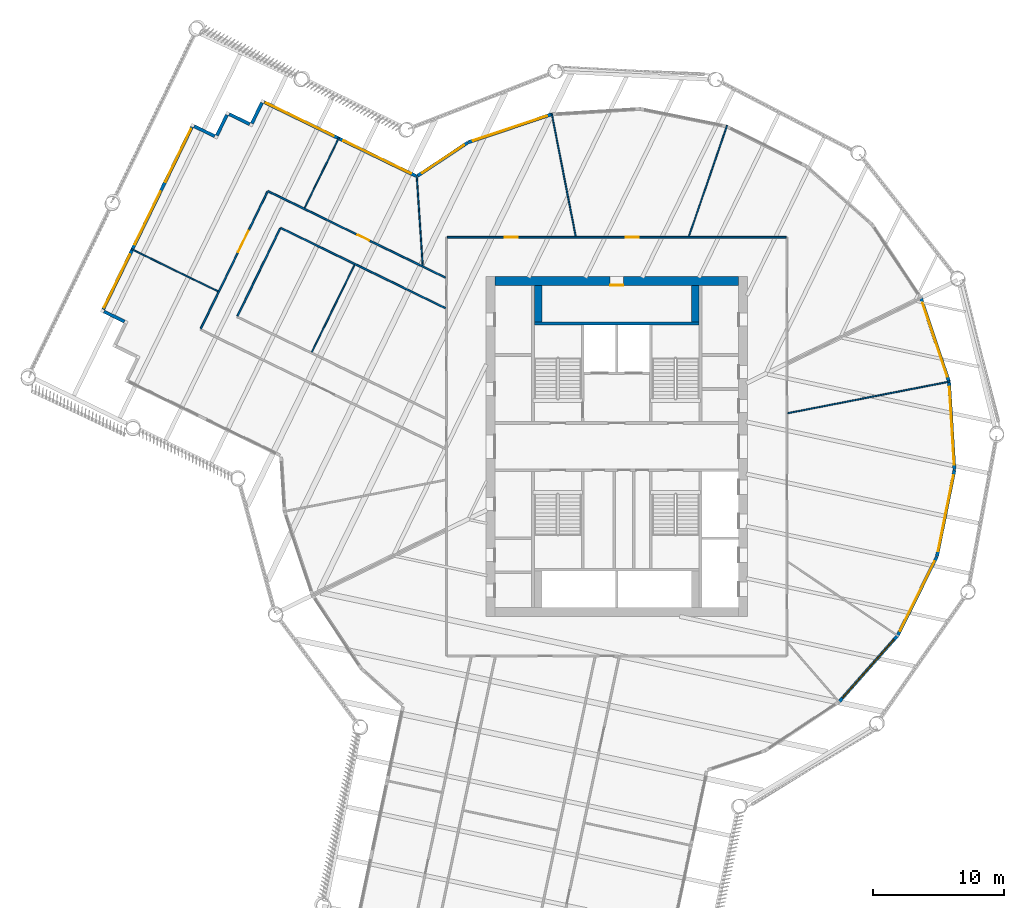
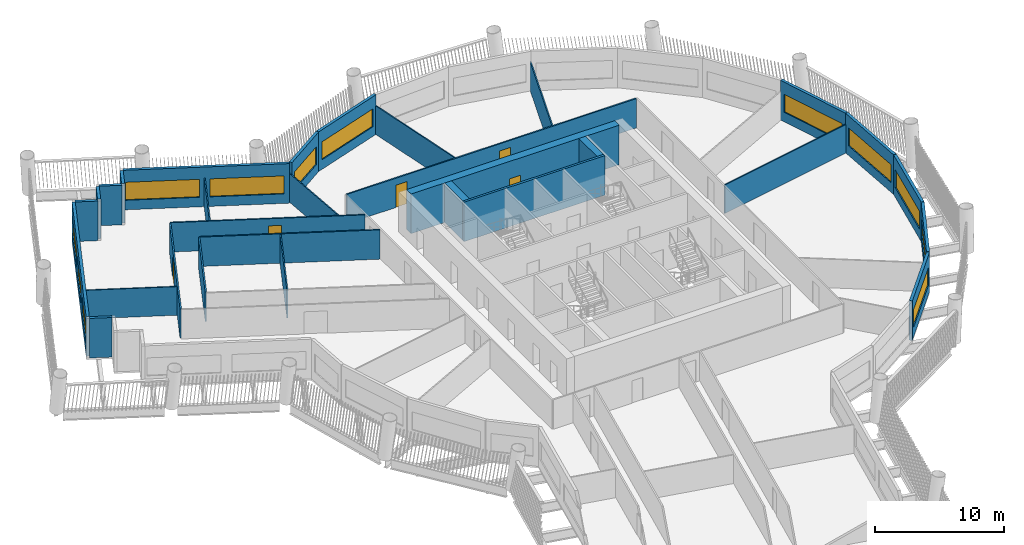
# One storey, part 6 of 15: 30 walls, 12 windows, 5 doors, 17 openings.
"""IFC4 building model written with IfcOpenShell, lengths in metres."""

from ifc_helpers import new_model, si_unit, direction, frame, frame_2d, origin, place, context, subcontext, project, spatial, rectangle, extrude, material, layer, layer_set, type_object, element, fill, save


model = new_model("IFC4")

# Units and contexts
model_context = context("Model", 3, precision=1e-05, world=origin(), true_north=direction((0.0, 1.0)))
body_context = subcontext(model_context, "Body", "Model", "MODEL_VIEW")
ifc_project = project(units=[si_unit("LENGTHUNIT", "METRE"), si_unit("AREAUNIT", "SQUARE_METRE"), si_unit("VOLUMEUNIT", "CUBIC_METRE"), si_unit("PLANEANGLEUNIT", "RADIAN"), si_unit("MASSUNIT", "GRAM", prefix="KILO")], contexts=[model_context])

# Site, building, storey
site_placement = place(None, origin())
site = spatial("IfcSite", under=ifc_project, at=site_placement, CompositionType="ELEMENT")
building_placement = place(site_placement, origin())
building = spatial("IfcBuilding", under=site, at=building_placement, Name="Tarsis Ring Headquarters", CompositionType="ELEMENT")
storey_placement = place(building_placement, frame((0.0, 0.0, 174.89990234375)))
storey = spatial("IfcBuildingStorey", under=building, at=storey_placement, Name="L40", CompositionType="ELEMENT", Elevation=174.89990234375)

# Wall, opening, door
ifc_material_1 = material(Name="Concrete C60/75", Category="concrete")
ifc_layer_1 = layer(ifc_material_1, 0.699951171875)
ifc_layer_set_1 = layer_set([ifc_layer_1], Name="Core wall 700 C60/75")
wall_type_1 = type_object("IfcWallType", Name="Core wall 700 C60/75", PredefinedType="SHEAR", material=ifc_layer_set_1)
wall_1_placement = place(storey_placement, frame((-9.300048828125, 12.64990234375, 0.0), z_axis=(0.0, 0.0, 1.0), x_axis=(1.0, 0.0, 0.0)))
wall_1 = element("IfcWall", 1, at=wall_1_placement, inside=storey, type_object=wall_type_1, Name="Core wall ON", PredefinedType="SHEAR", context=body_context, shape_type="SweptSolid", body=[
    extrude(rectangle(XDim=18.60009765625, YDim=0.699951171875, at=frame_2d((9.300048828125, 0.0))), origin(), (0.0, 0.0, 1.0), 3.739990234375),
])
opening_1_placement = place(wall_1_placement, frame((8.800048828125, 0.0, 0.0)))
opening_1 = element("IfcOpeningElement", 2, at=opening_1_placement, cuts=wall_1, Name="Opening L40-C15", PredefinedType="OPENING", context=body_context, shape_type="SweptSolid", body=[
    extrude(rectangle(XDim=1.0, YDim=2.10009765625, at=frame_2d((0.5, 1.050048828125))), frame((0.0, 0.35986328125, 0.0), z_axis=(0.0, -1.0, 0.0), x_axis=(1.0, 0.0, 0.0)), (0.0, 0.0, 1.0), 0.719970703125),
])
ifc_material_2 = material(Name="Steel S355", Category="steel")
door_type_1 = type_object("IfcDoorType", Name="Core room door 1000x2100", OperationType="SINGLE_SWING_LEFT", PredefinedType="DOOR", material=ifc_material_2)
door_1_placement = place(opening_1_placement, origin())
door_1 = element("IfcDoor", 3, at=door_1_placement, inside=storey, type_object=door_type_1, Name="Core room door L40", OperationType="SINGLE_SWING_LEFT", OverallHeight=2.10009765625, OverallWidth=1.0, PredefinedType="DOOR", context=body_context, shape_type="SweptSolid", body=[
    extrude(rectangle(XDim=1.0, YDim=2.10009765625, at=frame_2d((0.5, 1.050048828125))), frame((0.0, -0.2998046875, 0.0), z_axis=(0.0, -1.0, 0.0), x_axis=(1.0, 0.0, 0.0)), (0.0, 0.0, 1.0), 0.050048828125),
])
fill(opening_1, door_1)

# Walls
ifc_material_3 = material(Name="Gypsum board on steel studs", Category="steel")
ifc_layer_2 = layer(ifc_material_3, 0.10009765625)
ifc_layer_set_2 = layer_set([ifc_layer_2], Name="FL partition 100 unrated")
wall_type_2 = type_object("IfcWallType", Name="FL partition 100 unrated", PredefinedType="PARTITIONING", material=ifc_layer_set_2)
wall_2_placement = place(storey_placement, frame((13.068603515625, 2.5498046875, 0.0), z_axis=(0.0, 0.0, 1.0), x_axis=(0.981492275402, 0.191501731914, 0.0)))
element("IfcWall", 4, at=wall_2_placement, inside=storey, type_object=wall_type_2, Name="Partition PW3", PredefinedType="PARTITIONING", context=body_context, shape_type="SweptSolid", body=[
    extrude(rectangle(XDim=12.6328125, YDim=0.10009765625, at=frame_2d((6.31640625, 0.0))), origin(), (0.0, 0.0, 1.0), 2.7001953125),
])
wall_3_placement = place(storey_placement, frame((-4.968994140625, 25.467529296875, 0.0), z_axis=(0.0, 0.0, 1.0), x_axis=(0.191515151518, -0.98148965697, 0.0)))
element("IfcWall", 5, at=wall_3_placement, inside=storey, type_object=wall_type_2, Name="Partition PW3", PredefinedType="PARTITIONING", context=body_context, shape_type="SweptSolid", body=[
    extrude(rectangle(XDim=9.576171875, YDim=0.10009765625, at=frame_2d((4.7880859375, 0.0))), origin(), (0.0, 0.0, 1.0), 2.7001953125),
])
wall_4_placement = place(storey_placement, frame((5.522705078125, 16.07568359375, 0.0), z_axis=(0.0, 0.0, 1.0), x_axis=(0.324913567476, 0.945743714581, 0.0)))
element("IfcWall", 6, at=wall_4_placement, inside=storey, type_object=wall_type_2, Name="Partition PW3", PredefinedType="PARTITIONING", context=body_context, shape_type="SweptSolid", body=[
    extrude(rectangle(XDim=8.949951171875, YDim=0.10009765625, at=frame_2d((4.47509765625, 0.0))), origin(), (0.0, 0.0, 1.0), 2.7001953125),
])
wall_5_placement = place(storey_placement, frame((-23.292236328125, 7.214111328125, 0.0), z_axis=(0.0, 0.0, 1.0), x_axis=(0.437751899336, 0.899095809482, 0.0)))
element("IfcWall", 7, at=wall_5_placement, inside=storey, type_object=wall_type_2, Name="Partition PW3", PredefinedType="PARTITIONING", context=body_context, shape_type="SweptSolid", body=[
    extrude(rectangle(XDim=7.419921875, YDim=0.10009765625, at=frame_2d((3.7099609375, 0.0))), origin(), (0.0, 0.0, 1.0), 2.7001953125),
])
wall_6_placement = place(storey_placement, frame((-37.087890625, 15.08740234375, 0.0), z_axis=(0.0, 0.0, 1.0), x_axis=(0.899094325964, -0.437754946311, 0.0)))
element("IfcWall", 8, at=wall_6_placement, inside=storey, type_object=wall_type_2, Name="Partition PW3", PredefinedType="PARTITIONING", context=body_context, shape_type="SweptSolid", body=[
    extrude(rectangle(XDim=7.360107421875, YDim=0.10009765625, at=frame_2d((3.68017578125, 0.0))), origin(), (0.0, 0.0, 1.0), 2.7001953125),
])
wall_7_placement = place(storey_placement, frame((-15.281982421875, 20.70361328125, 0.0), z_axis=(0.0, 0.0, 1.0), x_axis=(0.066122821125, -0.997811491478, 0.0)))
element("IfcWall", 9, at=wall_7_placement, inside=storey, type_object=wall_type_2, Name="Partition PW3", PredefinedType="PARTITIONING", context=body_context, shape_type="SweptSolid", body=[
    extrude(rectangle(XDim=6.871337890625, YDim=0.10009765625, at=frame_2d((3.435546875, 0.0))), origin(), (0.0, 0.0, 1.0), 2.7001953125),
])
wall_8_placement = place(storey_placement, frame((-23.846923828125, 18.22802734375, 0.0), z_axis=(0.0, 0.0, 1.0), x_axis=(0.437732473442, 0.899105267304, 0.0)))
element("IfcWall", 10, at=wall_8_placement, inside=storey, type_object=wall_type_2, Name="Partition PW3", PredefinedType="PARTITIONING", context=body_context, shape_type="SweptSolid", body=[
    extrude(rectangle(XDim=6.000244140625, YDim=0.10009765625, at=frame_2d((3.0, 0.0))), origin(), (0.0, 0.0, 1.0), 2.7001953125),
])

# Wall, openings, doors
ifc_layer_3 = layer(ifc_material_3, 0.125)
ifc_layer_set_3 = layer_set([ifc_layer_3], Name="FL partition 125 EI 60 H2770")
wall_type_3 = type_object("IfcWallType", Name="FL partition 125 EI 60 H2770", PredefinedType="PARTITIONING", material=ifc_layer_set_3)
wall_9_placement = place(storey_placement, frame((-12.93994140625, 16.0, 0.0), z_axis=(0.0, 0.0, 1.0), x_axis=(1.0, 0.0, 0.0)))
wall_9 = element("IfcWall", 11, at=wall_9_placement, inside=storey, type_object=wall_type_3, Name="Partition PW1", PredefinedType="PARTITIONING", context=body_context, shape_type="SweptSolid", body=[
    extrude(rectangle(XDim=25.8798828125, YDim=0.125, at=frame_2d((12.93994140625, 0.0))), origin(), (0.0, 0.0, 1.0), 2.77001953125),
])
opening_2_placement = place(wall_9_placement, frame((4.379150390625, 0.0, 0.0)))
opening_2 = element("IfcOpeningElement", 12, at=opening_2_placement, cuts=wall_9, Name="Opening D40.04", PredefinedType="OPENING", context=body_context, shape_type="SweptSolid", body=[
    extrude(rectangle(XDim=1.0, YDim=2.10009765625, at=frame_2d((0.5, 1.050048828125))), frame((0.0, 0.072509765625, 0.0), z_axis=(0.0, -1.0, 0.0), x_axis=(1.0, 0.0, 0.0)), (0.0, 0.0, 1.0), 0.14501953125),
])
opening_3_placement = place(wall_9_placement, frame((13.62744140625, 0.0, 0.0)))
opening_3 = element("IfcOpeningElement", 13, at=opening_3_placement, cuts=wall_9, Name="Opening D40.05", PredefinedType="OPENING", context=body_context, shape_type="SweptSolid", body=[
    extrude(rectangle(XDim=1.0, YDim=2.10009765625, at=frame_2d((0.5, 1.050048828125))), frame((0.0, 0.072509765625, 0.0), z_axis=(0.0, -1.0, 0.0), x_axis=(1.0, 0.0, 0.0)), (0.0, 0.0, 1.0), 0.14501953125),
])
ifc_material_4 = material(Name="Fire-rated timber door leaf in steel frame", Category="steel")
door_type_2 = type_object("IfcDoorType", Name="FL door FD60-1000", OperationType="NOTDEFINED", PredefinedType="DOOR", material=ifc_material_4)
door_2_placement = place(opening_2_placement, origin())
door_2 = element("IfcDoor", 14, at=door_2_placement, inside=storey, type_object=door_type_2, Name="Door D40.04", OperationType="SINGLE_SWING_RIGHT", OverallHeight=2.10009765625, OverallWidth=1.0, PredefinedType="DOOR", context=body_context, shape_type="SweptSolid", body=[
    extrude(rectangle(XDim=1.0, YDim=2.10009765625, at=frame_2d((0.5, 1.050048828125))), frame((0.0, 0.02490234375, 0.0), z_axis=(0.0, -1.0, 0.0), x_axis=(1.0, 0.0, 0.0)), (0.0, 0.0, 1.0), 0.050048828125),
])
fill(opening_2, door_2)
door_3_placement = place(opening_3_placement, origin())
door_3 = element("IfcDoor", 15, at=door_3_placement, inside=storey, type_object=door_type_2, Name="Door D40.05", OperationType="SINGLE_SWING_LEFT", OverallHeight=2.10009765625, OverallWidth=1.0, PredefinedType="DOOR", context=body_context, shape_type="SweptSolid", body=[
    extrude(rectangle(XDim=1.0, YDim=2.10009765625, at=frame_2d((0.5, 1.050048828125))), frame((0.0, 0.02490234375, 0.0), z_axis=(0.0, -1.0, 0.0), x_axis=(1.0, 0.0, 0.0)), (0.0, 0.0, 1.0), 0.050048828125),
])
fill(opening_3, door_3)

# Wall, opening, door
wall_10_placement = place(storey_placement, frame((-26.664794921875, 19.522216796875, 0.0), z_axis=(0.0, 0.0, 1.0), x_axis=(0.899102241522, -0.437738688364, 0.0)))
wall_10 = element("IfcWall", 16, at=wall_10_placement, inside=storey, type_object=wall_type_3, Name="Partition PW1", PredefinedType="PARTITIONING", context=body_context, shape_type="SweptSolid", body=[
    extrude(rectangle(XDim=15.1083984375, YDim=0.125, at=frame_2d((7.55419921875, 0.0))), origin(), (0.0, 0.0, 1.0), 2.77001953125),
])
opening_4_placement = place(wall_10_placement, frame((7.63232421875, 0.0, 0.0)))
opening_4 = element("IfcOpeningElement", 17, at=opening_4_placement, cuts=wall_10, Name="Opening D40.03", PredefinedType="OPENING", context=body_context, shape_type="SweptSolid", body=[
    extrude(rectangle(XDim=1.0, YDim=2.10009765625, at=frame_2d((0.5, 1.050048828125))), frame((0.0, 0.072509765625, 0.0), z_axis=(0.0, -1.0, 0.0), x_axis=(1.0, 0.0, 0.0)), (0.0, 0.0, 1.0), 0.14501953125),
])
door_4_placement = place(opening_4_placement, origin())
door_4 = element("IfcDoor", 18, at=door_4_placement, inside=storey, type_object=door_type_2, Name="Door D40.03", OperationType="SINGLE_SWING_LEFT", OverallHeight=2.10009765625, OverallWidth=1.0, PredefinedType="DOOR", context=body_context, shape_type="SweptSolid", body=[
    extrude(rectangle(XDim=1.0, YDim=2.10009765625, at=frame_2d((0.5, 1.050048828125))), frame((0.0, 0.02490234375, 0.0), z_axis=(0.0, -1.0, 0.0), x_axis=(1.0, 0.0, 0.0)), (0.0, 0.0, 1.0), 0.050048828125),
])
fill(opening_4, door_4)

# Wall
wall_11_placement = place(storey_placement, frame((-25.69580078125, 16.71484375, 0.0), z_axis=(0.0, 0.0, 1.0), x_axis=(0.899099809265, -0.437743684111, 0.0)))
element("IfcWall", 19, at=wall_11_placement, inside=storey, type_object=wall_type_3, Name="Partition PW1", PredefinedType="PARTITIONING", context=body_context, shape_type="SweptSolid", body=[
    extrude(rectangle(XDim=14.03076171875, YDim=0.125, at=frame_2d((7.015380859375, 0.0))), origin(), (0.0, 0.0, 1.0), 2.77001953125),
])

# Wall, opening, door
wall_12_placement = place(storey_placement, frame((-31.786376953125, 9.002685546875, 0.0), z_axis=(0.0, 0.0, 1.0), x_axis=(0.437733397292, 0.899104817524, 0.0)))
wall_12 = element("IfcWall", 20, at=wall_12_placement, inside=storey, type_object=wall_type_3, Name="Partition PW1", PredefinedType="PARTITIONING", context=body_context, shape_type="SweptSolid", body=[
    extrude(rectangle(XDim=11.639892578125, YDim=0.125, at=frame_2d((5.81982421875, 0.0))), origin(), (0.0, 0.0, 1.0), 2.77001953125),
])
opening_5_placement = place(wall_12_placement, frame((6.526611328125, 0.0, 0.0)))
opening_5 = element("IfcOpeningElement", 21, at=opening_5_placement, cuts=wall_12, Name="Opening D40.02", PredefinedType="OPENING", context=body_context, shape_type="SweptSolid", body=[
    extrude(rectangle(XDim=1.800048828125, YDim=2.10009765625, at=frame_2d((0.89990234375, 1.050048828125))), frame((0.0, 0.072509765625, 0.0), z_axis=(0.0, -1.0, 0.0), x_axis=(1.0, 0.0, 0.0)), (0.0, 0.0, 1.0), 0.14501953125),
])
door_type_3 = type_object("IfcDoorType", Name="FL door FD60-1800", OperationType="DOUBLE_DOOR_SINGLE_SWING", PredefinedType="DOOR", material=ifc_material_4)
door_5_placement = place(opening_5_placement, origin())
door_5 = element("IfcDoor", 22, at=door_5_placement, inside=storey, type_object=door_type_3, Name="Door D40.02", OperationType="DOUBLE_DOOR_SINGLE_SWING", OverallHeight=2.10009765625, OverallWidth=1.800048828125, PredefinedType="DOOR", context=body_context, shape_type="SweptSolid", body=[
    extrude(rectangle(XDim=1.800048828125, YDim=2.10009765625, at=frame_2d((0.89990234375, 1.050048828125))), frame((0.0, 0.02490234375, 0.0), z_axis=(0.0, -1.0, 0.0), x_axis=(1.0, 0.0, 0.0)), (0.0, 0.0, 1.0), 0.050048828125),
])
fill(opening_5, door_5)

# Wall
wall_13_placement = place(storey_placement, frame((-28.97900390625, 9.971435546875, 0.0), z_axis=(0.0, 0.0, 1.0), x_axis=(0.437738211615, 0.899102473632, 0.0)))
element("IfcWall", 23, at=wall_13_placement, inside=storey, type_object=wall_type_3, Name="Partition PW1", PredefinedType="PARTITIONING", context=body_context, shape_type="SweptSolid", body=[
    extrude(rectangle(XDim=7.440185546875, YDim=0.125, at=frame_2d((3.72021484375, 0.0))), origin(), (0.0, 0.0, 1.0), 2.77001953125),
])

# Wall, opening, window
ifc_material_5 = material(Name="Terracotta clad insulated panel wall", Category="masonry")
ifc_layer_4 = layer(ifc_material_5, 0.25)
ifc_layer_set_4 = layer_set([ifc_layer_4], Name="Facade wall terracotta panel 250")
wall_type_4 = type_object("IfcWallType", Name="Facade wall terracotta panel 250", PredefinedType="STANDARD", material=ifc_layer_set_4)
wall_14_placement = place(storey_placement, frame((16.999267578125, -19.503173828125, 0.0), z_axis=(0.0, 0.0, 1.0), x_axis=(0.662099614285, 0.749415839681, 0.0)))
wall_14 = element("IfcWall", 24, at=wall_14_placement, inside=storey, type_object=wall_type_4, Name="External wall L40-19", PredefinedType="STANDARD", context=body_context, shape_type="SweptSolid", body=[
    extrude(rectangle(XDim=6.7216796875, YDim=0.25, at=frame_2d((3.36083984375, 0.0))), origin(), (0.0, 0.0, 1.0), 3.739990234375),
])
opening_6_placement = place(wall_14_placement, frame((0.3857421875, 0.0, 0.89990234375)))
opening_6 = element("IfcOpeningElement", 25, at=opening_6_placement, cuts=wall_14, Name="Opening WN07", PredefinedType="OPENING", context=body_context, shape_type="SweptSolid", body=[
    extrude(rectangle(XDim=5.949951171875, YDim=1.699951171875, at=frame_2d((2.97509765625, 0.85009765625))), frame((0.0, 0.135009765625, 0.0), z_axis=(0.0, -1.0, 0.0), x_axis=(1.0, 0.0, 0.0)), (0.0, 0.0, 1.0), 0.27001953125),
])
ifc_material_6 = material(Name="Aluminium framed double glazing", Category="aluminium")
window_type_1 = type_object("IfcWindowType", Name="Facade window 5950 x 1700", PartitioningType="SINGLE_PANEL", PredefinedType="WINDOW", material=ifc_material_6)
window_1_placement = place(opening_6_placement, origin())
window_1 = element("IfcWindow", 26, at=window_1_placement, inside=storey, type_object=window_type_1, Name="Window L40-19.1", OverallHeight=1.699951171875, OverallWidth=5.949951171875, PartitioningType="SINGLE_PANEL", PredefinedType="WINDOW", context=body_context, shape_type="SweptSolid", body=[
    extrude(rectangle(XDim=5.949951171875, YDim=1.699951171875, at=frame_2d((2.97509765625, 0.85009765625))), frame((0.0, 0.030029296875, 0.0), z_axis=(0.0, -1.0, 0.0), x_axis=(1.0, 0.0, 0.0)), (0.0, 0.0, 1.0), 0.06005859375),
])
fill(opening_6, window_1)

wall_15_placement = place(storey_placement, frame((21.4677734375, -14.438720703125, 0.0), z_axis=(0.0, 0.0, 1.0), x_axis=(0.445600164986, 0.895232088882, 0.0)))
wall_15 = element("IfcWall", 27, at=wall_15_placement, inside=storey, type_object=wall_type_4, Name="External wall L40-20", PredefinedType="STANDARD", context=body_context, shape_type="SweptSolid", body=[
    extrude(rectangle(XDim=6.721435546875, YDim=0.25, at=frame_2d((3.36083984375, 0.0))), origin(), (0.0, 0.0, 1.0), 3.739990234375),
])
opening_7_placement = place(wall_15_placement, frame((0.3857421875, 0.0, 0.89990234375)))
opening_7 = element("IfcOpeningElement", 28, at=opening_7_placement, cuts=wall_15, Name="Opening WN07", PredefinedType="OPENING", context=body_context, shape_type="SweptSolid", body=[
    extrude(rectangle(XDim=5.949951171875, YDim=1.699951171875, at=frame_2d((2.97509765625, 0.85009765625))), frame((0.0, 0.135009765625, 0.0), z_axis=(0.0, -1.0, 0.0), x_axis=(1.0, 0.0, 0.0)), (0.0, 0.0, 1.0), 0.27001953125),
])
window_2_placement = place(opening_7_placement, origin())
window_2 = element("IfcWindow", 29, at=window_2_placement, inside=storey, type_object=window_type_1, Name="Window L40-20.1", OverallHeight=1.699951171875, OverallWidth=5.949951171875, PartitioningType="SINGLE_PANEL", PredefinedType="WINDOW", context=body_context, shape_type="SweptSolid", body=[
    extrude(rectangle(XDim=5.949951171875, YDim=1.699951171875, at=frame_2d((2.97509765625, 0.85009765625))), frame((0.0, 0.030029296875, 0.0), z_axis=(0.0, -1.0, 0.0), x_axis=(1.0, 0.0, 0.0)), (0.0, 0.0, 1.0), 0.06005859375),
])
fill(opening_7, window_2)

wall_16_placement = place(storey_placement, frame((24.473388671875, -8.390625, 0.0), z_axis=(0.0, 0.0, 1.0), x_axis=(0.198678928879, 0.980064632164, 0.0)))
wall_16 = element("IfcWall", 30, at=wall_16_placement, inside=storey, type_object=wall_type_4, Name="External wall L40-21", PredefinedType="STANDARD", context=body_context, shape_type="SweptSolid", body=[
    extrude(rectangle(XDim=6.7216796875, YDim=0.25, at=frame_2d((3.36083984375, 0.0))), origin(), (0.0, 0.0, 1.0), 3.739990234375),
])
opening_8_placement = place(wall_16_placement, frame((0.3857421875, 0.0, 0.89990234375)))
opening_8 = element("IfcOpeningElement", 31, at=opening_8_placement, cuts=wall_16, Name="Opening WN07", PredefinedType="OPENING", context=body_context, shape_type="SweptSolid", body=[
    extrude(rectangle(XDim=5.949951171875, YDim=1.699951171875, at=frame_2d((2.97509765625, 0.85009765625))), frame((0.0, 0.135009765625, 0.0), z_axis=(0.0, -1.0, 0.0), x_axis=(1.0, 0.0, 0.0)), (0.0, 0.0, 1.0), 0.27001953125),
])
window_3_placement = place(opening_8_placement, origin())
window_3 = element("IfcWindow", 32, at=window_3_placement, inside=storey, type_object=window_type_1, Name="Window L40-21.1", OverallHeight=1.699951171875, OverallWidth=5.949951171875, PartitioningType="SINGLE_PANEL", PredefinedType="WINDOW", context=body_context, shape_type="SweptSolid", body=[
    extrude(rectangle(XDim=5.949951171875, YDim=1.699951171875, at=frame_2d((2.97509765625, 0.85009765625))), frame((0.0, 0.030029296875, 0.0), z_axis=(0.0, -1.0, 0.0), x_axis=(1.0, 0.0, 0.0)), (0.0, 0.0, 1.0), 0.06005859375),
])
fill(opening_8, window_3)

wall_17_placement = place(storey_placement, frame((25.81103515625, -1.7705078125, 0.0), z_axis=(0.0, 0.0, 1.0), x_axis=(-0.061747373542, 0.998091810336, 0.0)))
wall_17 = element("IfcWall", 33, at=wall_17_placement, inside=storey, type_object=wall_type_4, Name="External wall L40-22", PredefinedType="STANDARD", context=body_context, shape_type="SweptSolid", body=[
    extrude(rectangle(XDim=6.7216796875, YDim=0.25, at=frame_2d((3.36083984375, 0.0))), origin(), (0.0, 0.0, 1.0), 3.739990234375),
])
opening_9_placement = place(wall_17_placement, frame((0.3857421875, 0.0, 0.89990234375)))
opening_9 = element("IfcOpeningElement", 34, at=opening_9_placement, cuts=wall_17, Name="Opening WN07", PredefinedType="OPENING", context=body_context, shape_type="SweptSolid", body=[
    extrude(rectangle(XDim=5.949951171875, YDim=1.699951171875, at=frame_2d((2.97509765625, 0.85009765625))), frame((0.0, 0.135009765625, 0.0), z_axis=(0.0, -1.0, 0.0), x_axis=(1.0, 0.0, 0.0)), (0.0, 0.0, 1.0), 0.27001953125),
])
window_4_placement = place(opening_9_placement, origin())
window_4 = element("IfcWindow", 35, at=window_4_placement, inside=storey, type_object=window_type_1, Name="Window L40-22.1", OverallHeight=1.699951171875, OverallWidth=5.949951171875, PartitioningType="SINGLE_PANEL", PredefinedType="WINDOW", context=body_context, shape_type="SweptSolid", body=[
    extrude(rectangle(XDim=5.949951171875, YDim=1.699951171875, at=frame_2d((2.97509765625, 0.85009765625))), frame((0.0, 0.030029296875, 0.0), z_axis=(0.0, -1.0, 0.0), x_axis=(1.0, 0.0, 0.0)), (0.0, 0.0, 1.0), 0.06005859375),
])
fill(opening_9, window_4)

wall_18_placement = place(storey_placement, frame((25.389892578125, 4.97021484375, 0.0), z_axis=(0.0, 0.0, 1.0), x_axis=(-0.317959781689, 0.948104201672, 0.0)))
wall_18 = element("IfcWall", 36, at=wall_18_placement, inside=storey, type_object=wall_type_4, Name="External wall L40-23", PredefinedType="STANDARD", context=body_context, shape_type="SweptSolid", body=[
    extrude(rectangle(XDim=6.7216796875, YDim=0.25, at=frame_2d((3.36083984375, 0.0))), origin(), (0.0, 0.0, 1.0), 3.739990234375),
])
opening_10_placement = place(wall_18_placement, frame((0.3857421875, 0.0, 0.89990234375)))
opening_10 = element("IfcOpeningElement", 37, at=opening_10_placement, cuts=wall_18, Name="Opening WN07", PredefinedType="OPENING", context=body_context, shape_type="SweptSolid", body=[
    extrude(rectangle(XDim=5.949951171875, YDim=1.699951171875, at=frame_2d((2.97509765625, 0.85009765625))), frame((0.0, 0.135009765625, 0.0), z_axis=(0.0, -1.0, 0.0), x_axis=(1.0, 0.0, 0.0)), (0.0, 0.0, 1.0), 0.27001953125),
])
window_5_placement = place(opening_10_placement, origin())
window_5 = element("IfcWindow", 38, at=window_5_placement, inside=storey, type_object=window_type_1, Name="Window L40-23.1", OverallHeight=1.699951171875, OverallWidth=5.949951171875, PartitioningType="SINGLE_PANEL", PredefinedType="WINDOW", context=body_context, shape_type="SweptSolid", body=[
    extrude(rectangle(XDim=5.949951171875, YDim=1.699951171875, at=frame_2d((2.97509765625, 0.85009765625))), frame((0.0, 0.030029296875, 0.0), z_axis=(0.0, -1.0, 0.0), x_axis=(1.0, 0.0, 0.0)), (0.0, 0.0, 1.0), 0.06005859375),
])
fill(opening_10, window_5)

wall_19_placement = place(storey_placement, frame((-4.97021484375, 25.389892578125, 0.0), z_axis=(0.0, 0.0, 1.0), x_axis=(-0.948104201672, -0.317959781689, 0.0)))
wall_19 = element("IfcWall", 39, at=wall_19_placement, inside=storey, type_object=wall_type_4, Name="External wall L40-29", PredefinedType="STANDARD", context=body_context, shape_type="SweptSolid", body=[
    extrude(rectangle(XDim=6.7216796875, YDim=0.25, at=frame_2d((3.36083984375, 0.0))), origin(), (0.0, 0.0, 1.0), 3.739990234375),
])
opening_11_placement = place(wall_19_placement, frame((0.3857421875, 0.0, 0.89990234375)))
opening_11 = element("IfcOpeningElement", 40, at=opening_11_placement, cuts=wall_19, Name="Opening WN07", PredefinedType="OPENING", context=body_context, shape_type="SweptSolid", body=[
    extrude(rectangle(XDim=5.949951171875, YDim=1.699951171875, at=frame_2d((2.97509765625, 0.85009765625))), frame((0.0, 0.135009765625, 0.0), z_axis=(0.0, -1.0, 0.0), x_axis=(1.0, 0.0, 0.0)), (0.0, 0.0, 1.0), 0.27001953125),
])
window_6_placement = place(opening_11_placement, origin())
window_6 = element("IfcWindow", 41, at=window_6_placement, inside=storey, type_object=window_type_1, Name="Window L40-29.1", OverallHeight=1.699951171875, OverallWidth=5.949951171875, PartitioningType="SINGLE_PANEL", PredefinedType="WINDOW", context=body_context, shape_type="SweptSolid", body=[
    extrude(rectangle(XDim=5.949951171875, YDim=1.699951171875, at=frame_2d((2.97509765625, 0.85009765625))), frame((0.0, 0.030029296875, 0.0), z_axis=(0.0, -1.0, 0.0), x_axis=(1.0, 0.0, 0.0)), (0.0, 0.0, 1.0), 0.06005859375),
])
fill(opening_11, window_6)

wall_20_placement = place(storey_placement, frame((-11.372314453125, 23.23828125, 0.0), z_axis=(0.0, 0.0, 1.0), x_axis=(-0.833487168208, -0.552538813507, 0.0)))
wall_20 = element("IfcWall", 42, at=wall_20_placement, inside=storey, type_object=wall_type_4, Name="External wall L40-30", PredefinedType="STANDARD", context=body_context, shape_type="SweptSolid", body=[
    extrude(rectangle(XDim=4.617919921875, YDim=0.25, at=frame_2d((2.30908203125, 0.0))), origin(), (0.0, 0.0, 1.0), 3.739990234375),
])
opening_12_placement = place(wall_20_placement, frame((0.367431640625, 0.0, 0.89990234375)))
opening_12 = element("IfcOpeningElement", 43, at=opening_12_placement, cuts=wall_20, Name="Opening WN02", PredefinedType="OPENING", context=body_context, shape_type="SweptSolid", body=[
    extrude(rectangle(XDim=3.85009765625, YDim=1.699951171875, at=frame_2d((1.925048828125, 0.85009765625))), frame((0.0, 0.135009765625, 0.0), z_axis=(0.0, -1.0, 0.0), x_axis=(1.0, 0.0, 0.0)), (0.0, 0.0, 1.0), 0.27001953125),
])
window_type_2 = type_object("IfcWindowType", Name="Facade window 3850 x 1700", PartitioningType="SINGLE_PANEL", PredefinedType="WINDOW", material=ifc_material_6)
window_7_placement = place(opening_12_placement, origin())
window_7 = element("IfcWindow", 44, at=window_7_placement, inside=storey, type_object=window_type_2, Name="Window L40-30.1", OverallHeight=1.699951171875, OverallWidth=3.85009765625, PartitioningType="SINGLE_PANEL", PredefinedType="WINDOW", context=body_context, shape_type="SweptSolid", body=[
    extrude(rectangle(XDim=3.85009765625, YDim=1.699951171875, at=frame_2d((1.925048828125, 0.85009765625))), frame((0.0, 0.030029296875, 0.0), z_axis=(0.0, -1.0, 0.0), x_axis=(1.0, 0.0, 0.0)), (0.0, 0.0, 1.0), 0.06005859375),
])
fill(opening_12, window_7)

# Wall, openings, windows
wall_21_placement = place(storey_placement, frame((-15.344970703125, 20.6787109375, 0.0), z_axis=(0.0, 0.0, 1.0), x_axis=(-0.899100647008, 0.437741963432, 0.0)))
wall_21 = element("IfcWall", 45, at=wall_21_placement, inside=storey, type_object=wall_type_4, Name="External wall L40-31", PredefinedType="STANDARD", context=body_context, shape_type="SweptSolid", body=[
    extrude(rectangle(XDim=12.9013671875, YDim=0.25, at=frame_2d((6.45068359375, 0.0))), origin(), (0.0, 0.0, 1.0), 3.739990234375),
])
opening_13_placement = place(wall_21_placement, frame((0.412841796875, 0.0, 0.89990234375)))
opening_13 = element("IfcOpeningElement", 46, at=opening_13_placement, cuts=wall_21, Name="Opening WN06", PredefinedType="OPENING", context=body_context, shape_type="SweptSolid", body=[
    extrude(rectangle(XDim=5.75, YDim=1.699951171875, at=frame_2d((2.875, 0.85009765625))), frame((0.0, 0.135009765625, 0.0), z_axis=(0.0, -1.0, 0.0), x_axis=(1.0, 0.0, 0.0)), (0.0, 0.0, 1.0), 0.27001953125),
])
opening_14_placement = place(wall_21_placement, frame((6.988525390625, 0.0, 0.89990234375)))
opening_14 = element("IfcOpeningElement", 47, at=opening_14_placement, cuts=wall_21, Name="Opening WN06", PredefinedType="OPENING", context=body_context, shape_type="SweptSolid", body=[
    extrude(rectangle(XDim=5.75, YDim=1.699951171875, at=frame_2d((2.875, 0.85009765625))), frame((0.0, 0.135009765625, 0.0), z_axis=(0.0, -1.0, 0.0), x_axis=(1.0, 0.0, 0.0)), (0.0, 0.0, 1.0), 0.27001953125),
])
window_type_3 = type_object("IfcWindowType", Name="Facade window 5750 x 1700", PartitioningType="SINGLE_PANEL", PredefinedType="WINDOW", material=ifc_material_6)
window_8_placement = place(opening_13_placement, origin())
window_8 = element("IfcWindow", 48, at=window_8_placement, inside=storey, type_object=window_type_3, Name="Window L40-31.1", OverallHeight=1.699951171875, OverallWidth=5.75, PartitioningType="SINGLE_PANEL", PredefinedType="WINDOW", context=body_context, shape_type="SweptSolid", body=[
    extrude(rectangle(XDim=5.75, YDim=1.699951171875, at=frame_2d((2.875, 0.85009765625))), frame((0.0, 0.030029296875, 0.0), z_axis=(0.0, -1.0, 0.0), x_axis=(1.0, 0.0, 0.0)), (0.0, 0.0, 1.0), 0.06005859375),
])
fill(opening_13, window_8)
window_9_placement = place(opening_14_placement, origin())
window_9 = element("IfcWindow", 49, at=window_9_placement, inside=storey, type_object=window_type_3, Name="Window L40-31.2", OverallHeight=1.699951171875, OverallWidth=5.75, PartitioningType="SINGLE_PANEL", PredefinedType="WINDOW", context=body_context, shape_type="SweptSolid", body=[
    extrude(rectangle(XDim=5.75, YDim=1.699951171875, at=frame_2d((2.875, 0.85009765625))), frame((0.0, 0.030029296875, 0.0), z_axis=(0.0, -1.0, 0.0), x_axis=(1.0, 0.0, 0.0)), (0.0, 0.0, 1.0), 0.06005859375),
])
fill(opening_14, window_9)

# Walls
for number, where, z_axis, x_axis, name in (
    (50, (-27.11181640625, 26.2685546875, 0.0), (0.0, 0.0, 1.0), (-0.437645599186, -0.899147557141, 0.0), "External wall L40-32"),
    (51, (-28.044921875, 24.637451171875, 0.0), (0.0, 0.0, 1.0), (-0.899147557141, 0.437645599186, 0.0), "External wall L40-33"),
    (52, (-29.785400390625, 25.345703125, 0.0), (0.0, 0.0, 1.0), (-0.437758378697, -0.899092654781, 0.0), "External wall L40-34"),
    (53, (-30.718505859375, 23.714599609375, 0.0), (0.0, 0.0, 1.0), (-0.899092654781, 0.437758378697, 0.0), "External wall L40-35"),
):
    element("IfcWall", number, at=place(storey_placement, frame(where, z_axis=z_axis, x_axis=x_axis)), inside=storey, type_object=wall_type_4, Name=name, PredefinedType="STANDARD", context=body_context, shape_type="SweptSolid", body=[
        extrude(rectangle(XDim=1.75, YDim=0.25, at=frame_2d((0.875, 0.0))), origin(), (0.0, 0.0, 1.0), 3.739990234375),
    ])

# Wall, openings, windows
wall_22_placement = place(storey_placement, frame((-32.458984375, 24.423095703125, 0.0), z_axis=(0.0, 0.0, 1.0), x_axis=(-0.437750721361, -0.899096383014, 0.0)))
wall_22 = element("IfcWall", 54, at=wall_22_placement, inside=storey, type_object=wall_type_4, Name="External wall L40-36", PredefinedType="STANDARD", context=body_context, shape_type="SweptSolid", body=[
    extrude(rectangle(XDim=15.5, YDim=0.25, at=frame_2d((7.75, 0.0))), origin(), (0.0, 0.0, 1.0), 3.739990234375),
])
opening_15_placement = place(wall_22_placement, frame((0.166748046875, 0.0, 0.89990234375)))
opening_15 = element("IfcOpeningElement", 55, at=opening_15_placement, cuts=wall_22, Name="Opening WN04", PredefinedType="OPENING", context=body_context, shape_type="SweptSolid", body=[
    extrude(rectangle(XDim=4.5, YDim=1.699951171875, at=frame_2d((2.25, 0.85009765625))), frame((0.0, 0.135009765625, 0.0), z_axis=(0.0, -1.0, 0.0), x_axis=(1.0, 0.0, 0.0)), (0.0, 0.0, 1.0), 0.27001953125),
])
opening_16_placement = place(wall_22_placement, frame((5.5, 0.0, 0.89990234375)))
opening_16 = element("IfcOpeningElement", 56, at=opening_16_placement, cuts=wall_22, Name="Opening WN04", PredefinedType="OPENING", context=body_context, shape_type="SweptSolid", body=[
    extrude(rectangle(XDim=4.5, YDim=1.699951171875, at=frame_2d((2.25, 0.85009765625))), frame((0.0, 0.135009765625, 0.0), z_axis=(0.0, -1.0, 0.0), x_axis=(1.0, 0.0, 0.0)), (0.0, 0.0, 1.0), 0.27001953125),
])
opening_17_placement = place(wall_22_placement, frame((10.833251953125, 0.0, 0.89990234375)))
opening_17 = element("IfcOpeningElement", 57, at=opening_17_placement, cuts=wall_22, Name="Opening WN04", PredefinedType="OPENING", context=body_context, shape_type="SweptSolid", body=[
    extrude(rectangle(XDim=4.5, YDim=1.699951171875, at=frame_2d((2.25, 0.85009765625))), frame((0.0, 0.135009765625, 0.0), z_axis=(0.0, -1.0, 0.0), x_axis=(1.0, 0.0, 0.0)), (0.0, 0.0, 1.0), 0.27001953125),
])
window_type_4 = type_object("IfcWindowType", Name="Facade window 4500 x 1700", PartitioningType="SINGLE_PANEL", PredefinedType="WINDOW", material=ifc_material_6)
window_10_placement = place(opening_15_placement, origin())
window_10 = element("IfcWindow", 58, at=window_10_placement, inside=storey, type_object=window_type_4, Name="Window L40-36.1", OverallHeight=1.699951171875, OverallWidth=4.5, PartitioningType="SINGLE_PANEL", PredefinedType="WINDOW", context=body_context, shape_type="SweptSolid", body=[
    extrude(rectangle(XDim=4.5, YDim=1.699951171875, at=frame_2d((2.25, 0.85009765625))), frame((0.0, 0.030029296875, 0.0), z_axis=(0.0, -1.0, 0.0), x_axis=(1.0, 0.0, 0.0)), (0.0, 0.0, 1.0), 0.06005859375),
])
fill(opening_15, window_10)
window_11_placement = place(opening_16_placement, origin())
window_11 = element("IfcWindow", 59, at=window_11_placement, inside=storey, type_object=window_type_4, Name="Window L40-36.2", OverallHeight=1.699951171875, OverallWidth=4.5, PartitioningType="SINGLE_PANEL", PredefinedType="WINDOW", context=body_context, shape_type="SweptSolid", body=[
    extrude(rectangle(XDim=4.5, YDim=1.699951171875, at=frame_2d((2.25, 0.85009765625))), frame((0.0, 0.030029296875, 0.0), z_axis=(0.0, -1.0, 0.0), x_axis=(1.0, 0.0, 0.0)), (0.0, 0.0, 1.0), 0.06005859375),
])
fill(opening_16, window_11)
window_12_placement = place(opening_17_placement, origin())
window_12 = element("IfcWindow", 60, at=window_12_placement, inside=storey, type_object=window_type_4, Name="Window L40-36.3", OverallHeight=1.699951171875, OverallWidth=4.5, PartitioningType="SINGLE_PANEL", PredefinedType="WINDOW", context=body_context, shape_type="SweptSolid", body=[
    extrude(rectangle(XDim=4.5, YDim=1.699951171875, at=frame_2d((2.25, 0.85009765625))), frame((0.0, 0.030029296875, 0.0), z_axis=(0.0, -1.0, 0.0), x_axis=(1.0, 0.0, 0.0)), (0.0, 0.0, 1.0), 0.06005859375),
])
fill(opening_17, window_12)

# Walls
wall_23_placement = place(storey_placement, frame((-39.1865234375, 10.31982421875, 0.0), z_axis=(0.0, 0.0, 1.0), x_axis=(0.899147557141, -0.437645599186, 0.0)))
element("IfcWall", 61, at=wall_23_placement, inside=storey, type_object=wall_type_4, Name="External wall L40-37", PredefinedType="STANDARD", context=body_context, shape_type="SweptSolid", body=[
    extrude(rectangle(XDim=1.75, YDim=0.25, at=frame_2d((0.875, 0.0))), origin(), (0.0, 0.0, 1.0), 3.739990234375),
])
ifc_material_7 = material(Name="Concrete C32/40", Category="concrete")
ifc_layer_5 = layer(ifc_material_7, 0.60009765625)
ifc_layer_set_5 = layer_set([ifc_layer_5], Name="Shaft end wall 600 C32/40")
wall_type_5 = type_object("IfcWallType", Name="Shaft end wall 600 C32/40", PredefinedType="SOLIDWALL", material=ifc_layer_set_5)
for number, where, z_axis, x_axis, name in (
    (62, (-6.0, 9.5, 0.0), (0.0, 0.0, 1.0), (0.0, 1.0, 0.0), "Core shaft wall NNE1"),
    (63, (6.0, 9.5, 0.0), (0.0, 0.0, 1.0), (0.0, 1.0, 0.0), "Core shaft wall NNE2"),
):
    element("IfcWall", number, at=place(storey_placement, frame(where, z_axis=z_axis, x_axis=x_axis)), inside=storey, type_object=wall_type_5, Name=name, PredefinedType="SOLIDWALL", context=body_context, shape_type="SweptSolid", body=[
        extrude(rectangle(XDim=2.800048828125, YDim=0.60009765625, at=frame_2d((1.39990234375, 0.0))), origin(), (0.0, 0.0, 1.0), 3.739990234375),
    ])
ifc_layer_6 = layer(ifc_material_7, 0.199951171875)
ifc_layer_set_6 = layer_set([ifc_layer_6], Name="Shaft wall 200 C32/40")
wall_type_6 = type_object("IfcWallType", Name="Shaft wall 200 C32/40", PredefinedType="SOLIDWALL", material=ifc_layer_set_6)
wall_24_placement = place(storey_placement, frame((-6.300048828125, 9.39990234375, 0.0), z_axis=(0.0, 0.0, 1.0), x_axis=(1.0, 0.0, 0.0)))
element("IfcWall", 64, at=wall_24_placement, inside=storey, type_object=wall_type_6, Name="Core shaft wall NB", PredefinedType="SOLIDWALL", context=body_context, shape_type="SweptSolid", body=[
    extrude(rectangle(XDim=12.60009765625, YDim=0.199951171875, at=frame_2d((6.300048828125, 0.0))), origin(), (0.0, 0.0, 1.0), 3.739990234375),
])

save(model, "model.ifc")
